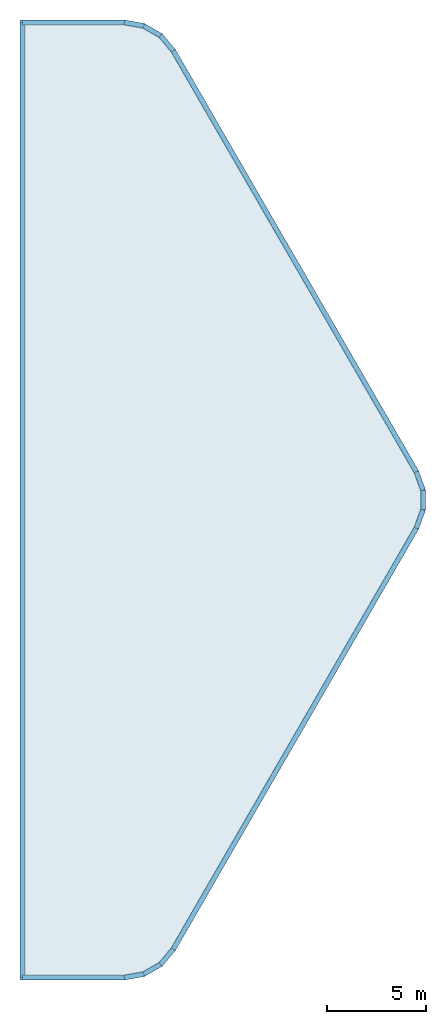
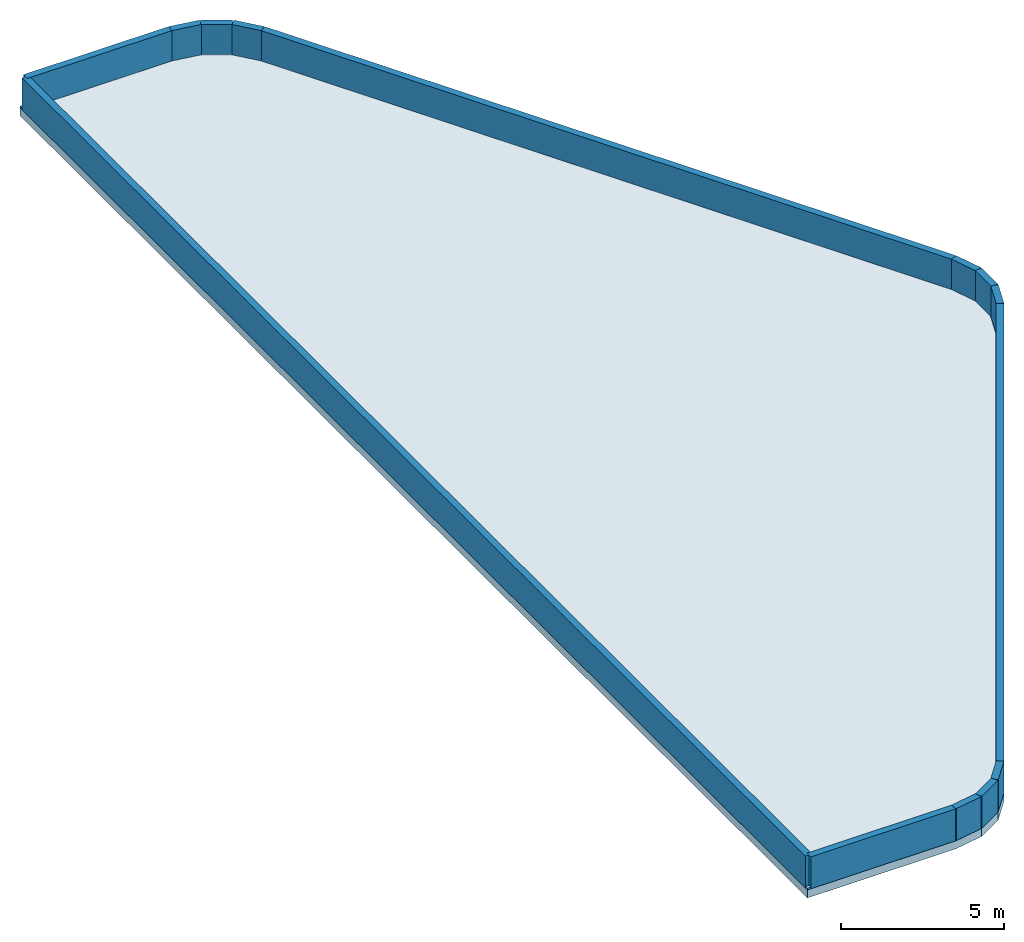
# One storey, part 1 of 2: 14 walls, 1 roof, 1 slab.
"""IFC4 building model written with IfcOpenShell, lengths in metres."""

import ifcopenshell
import ifcopenshell.guid

model = None  # the IFC model being written
_history = None  # IfcOwnerHistory: only IFC2X3 demands one
_inside = {}  # id of a spatial element -> (the spatial element, [elements in it])
_under = {}  # id of a project, library or spatial element -> (it, [spatial elements below it])
_declared = {}  # id of a project -> (the project, [libraries it declares])
_typed = {}  # id of a type object -> (the type object, [elements of that type])
_made_of = {}  # id of a material, layer set ... -> (it, [elements and type objects made of it])


def new_model(schema):
    """Start an empty IFC model of exactly this schema.

    Asked for "IFC4X3", IfcOpenShell would pick the latest addendum, in which some entities
    have other attributes; the version numbers below select the first issue.
    IFC2X3 requires an IfcOwnerHistory on every rooted entity: one is made here for all.
    """
    global model, _history
    if schema == "IFC4X3":
        model = ifcopenshell.file(schema_version=(4, 3, 0, 0))
    else:
        model = ifcopenshell.file(schema=schema)
    _inside.clear()
    _under.clear()
    _declared.clear()
    _typed.clear()
    _made_of.clear()
    _history = None
    if model.schema == "IFC2X3":
        org = make("IfcOrganization", Name="unknown")
        user = make(
            "IfcPersonAndOrganization",
            ThePerson=make("IfcPerson", FamilyName="unknown"),
            TheOrganization=org,
        )
        app = make(
            "IfcApplication",
            ApplicationDeveloper=org,
            Version="unknown",
            ApplicationFullName="unknown",
            ApplicationIdentifier="unknown",
        )
        _history = make(
            "IfcOwnerHistory",
            OwningUser=user,
            OwningApplication=app,
            ChangeAction="ADDED",
            CreationDate=0,
        )
    return model


def make(cls, **values):
    """One entity of the class cls with the attributes given. An attribute that is None is left unset."""
    return model.create_entity(
        cls, **{name: value for name, value in values.items() if value is not None}
    )


def rooted(cls, **values):
    """An entity with a GlobalId (a new one), such as an element, a storey or a relation."""
    return make(cls, GlobalId=ifcopenshell.guid.new(), OwnerHistory=_history, **values)


def si_unit(unit_type, name, prefix=None):
    """IfcSIUnit, for example si_unit("LENGTHUNIT", "METRE", prefix="MILLI")."""
    return make("IfcSIUnit", UnitType=unit_type, Prefix=prefix, Name=name)


def assignment(units):
    """IfcUnitAssignment: the units of a project."""
    return None if units is None else make("IfcUnitAssignment", Units=units)


def point(xyz):
    """IfcCartesianPoint."""
    return None if xyz is None else make("IfcCartesianPoint", Coordinates=xyz)


def direction(xyz):
    """IfcDirection."""
    return None if xyz is None else make("IfcDirection", DirectionRatios=xyz)


def frame(location, z_axis=None, x_axis=None):
    """IfcAxis2Placement3D, a coordinate frame: its origin and axes. An axis left out is left unset."""
    return make(
        "IfcAxis2Placement3D",
        Location=point(location),
        Axis=direction(z_axis),
        RefDirection=direction(x_axis),
    )


def frame_2d(location, x_axis=None):
    """IfcAxis2Placement2D, a coordinate frame in the plane: its origin and x axis."""
    return make(
        "IfcAxis2Placement2D", Location=point(location), RefDirection=direction(x_axis)
    )


def origin():
    """The frame at (0, 0, 0) with its axes left unset."""
    return frame((0.0, 0.0, 0.0))


def place(relative_to, where):
    """IfcLocalPlacement: puts the frame where relative to a parent placement (None: the world)."""
    return make(
        "IfcLocalPlacement", PlacementRelTo=relative_to, RelativePlacement=where
    )


def context(
    kind, dimensions, precision=None, world=None, true_north=None, identifier=None
):
    """IfcGeometricRepresentationContext, for example the 3D "Model" context."""
    return make(
        "IfcGeometricRepresentationContext",
        ContextIdentifier=identifier,
        ContextType=kind,
        CoordinateSpaceDimension=dimensions,
        Precision=precision,
        WorldCoordinateSystem=world,
        TrueNorth=true_north,
    )


def subcontext(parent, identifier, kind, view, scale=None):
    """IfcGeometricRepresentationSubContext, for example "Body" below "Model"."""
    return make(
        "IfcGeometricRepresentationSubContext",
        ContextIdentifier=identifier,
        ContextType=kind,
        ParentContext=parent,
        TargetScale=scale,
        TargetView=view,
    )


def project(units=None, contexts=None):
    """IfcProject with its units and contexts."""
    return rooted(
        "IfcProject",
        Name="project",
        RepresentationContexts=contexts,
        UnitsInContext=assignment(units),
    )


def spatial(cls, under=None, at=None, **own):
    """A site, building, storey or space (cls), placed at a placement, below another one or the project."""
    s = rooted(cls, ObjectPlacement=at, **own)
    if under is not None:
        _under.setdefault(under.id(), (under, []))[1].append(s)
    return s


def polyline(points):
    """IfcPolyline through the points."""
    return make("IfcPolyline", Points=[point(p) for p in points])


def profile(cls, at=None, kind="AREA", **sizes):
    """A parametric profile (cls). Its sizes go by their IFC names, for example OverallWidth=200.0."""
    return make(cls, ProfileType=kind, Position=at, **sizes)


def rectangle(**sizes):
    """IfcRectangleProfileDef."""
    return profile("IfcRectangleProfileDef", **sizes)


def outline(outer, holes=None, kind="AREA"):
    """IfcArbitraryClosedProfileDef: a profile drawn as a closed curve; with holes, ...WithVoids."""
    if holes is None:
        return make("IfcArbitraryClosedProfileDef", ProfileType=kind, OuterCurve=outer)
    return make(
        "IfcArbitraryProfileDefWithVoids",
        ProfileType=kind,
        OuterCurve=outer,
        InnerCurves=holes,
    )


def extrude(swept, where, along, depth):
    """IfcExtrudedAreaSolid: the profile swept, set in the frame where, extruded along a direction by depth."""
    return make(
        "IfcExtrudedAreaSolid",
        SweptArea=swept,
        Position=where,
        ExtrudedDirection=direction(along),
        Depth=depth,
    )


def shape(context_of_items, identifier, shape_type, items):
    """IfcShapeRepresentation: the items that make up one representation, for example the "Body"."""
    return make(
        "IfcShapeRepresentation",
        ContextOfItems=context_of_items,
        RepresentationIdentifier=identifier,
        RepresentationType=shape_type,
        Items=items,
    )


def material(Name=None, Category=None):
    """IfcMaterial."""
    return make("IfcMaterial", Name=Name, Category=Category)


def layer(
    of_material, thickness, ventilated=None, Name=None, Category=None, Priority=None
):
    """IfcMaterialLayer: one layer of a wall or slab, of a material (None: an air gap)."""
    return make(
        "IfcMaterialLayer",
        Material=of_material,
        LayerThickness=thickness,
        IsVentilated=ventilated,
        Name=Name,
        Category=Category,
        Priority=Priority,
    )


def layer_set(layers, Name=None):
    """IfcMaterialLayerSet."""
    return make("IfcMaterialLayerSet", MaterialLayers=layers, LayerSetName=Name)


def made_of(thing, what):
    """Note that an element or type object is made of a material, layer set ...; save() writes the relation."""
    if what is not None:
        _made_of.setdefault(what.id(), (what, []))[1].append(thing)
    return thing


def type_object(cls, material=None, **own):
    """A type object (cls), such as IfcWallType, which elements share."""
    return made_of(rooted(cls, **own), material)


def element(
    cls,
    number,
    at=None,
    inside=None,
    cuts=None,
    type_object=None,
    material=None,
    context=None,
    identifier="Body",
    shape_type=None,
    held_by="IfcProductDefinitionShape",
    body=None,
    shapes=None,
    **own,
):
    """One element of the class cls, such as IfcWall. Its Tag is "e" and its number.

    at: its placement. inside: the storey or other place that contains it. cuts: it is an
    opening in that element (IfcRelVoidsElement). A single representation is given by context,
    identifier, shape_type and body (its items); several are given by shapes. held_by: the class
    of the entity that holds the representations. save() writes the other relations.
    """
    e = rooted(cls, Tag="e%d" % number, ObjectPlacement=at, **own)
    if body is not None:
        shapes = [shape(context, identifier, shape_type, body)]
    if shapes is not None:
        e.Representation = make(held_by, Representations=shapes)
    if inside is not None:
        _inside.setdefault(inside.id(), (inside, []))[1].append(e)
    if cuts is not None:
        rooted(
            "IfcRelVoidsElement", RelatingBuildingElement=cuts, RelatedOpeningElement=e
        )
    if type_object is not None:
        _typed.setdefault(type_object.id(), (type_object, []))[1].append(e)
    return made_of(e, material)


def aggregate(whole, parts):
    """IfcRelAggregates: a whole, such as a stair, and the parts it consists of."""
    return rooted("IfcRelAggregates", RelatingObject=whole, RelatedObjects=parts)


def save(model, path):
    """Write the relations noted so far, then the file.

    IfcRelAggregates (storeys below a building ...), IfcRelContainedInSpatialStructure (elements
    in a storey), IfcRelDefinesByType, IfcRelAssociatesMaterial and IfcRelDeclares: one each for
    every whole, place, type object, material and project.
    """
    for whole, parts in _under.values():
        aggregate(whole, parts)
    for where, things in _inside.values():
        rooted(
            "IfcRelContainedInSpatialStructure",
            RelatedElements=things,
            RelatingStructure=where,
        )
    for kind, things in _typed.values():
        rooted("IfcRelDefinesByType", RelatedObjects=things, RelatingType=kind)
    for what, things in _made_of.values():
        rooted("IfcRelAssociatesMaterial", RelatedObjects=things, RelatingMaterial=what)
    for by, libraries in _declared.values():
        rooted("IfcRelDeclares", RelatingContext=by, RelatedDefinitions=libraries)
    model.write(path)


model = new_model("IFC4")

# Units and contexts
model_context = context("Model", 3, precision=1e-05, world=origin(), true_north=direction((0.0, 1.0)))
body_context = subcontext(model_context, "Body", "Model", "MODEL_VIEW")
ifc_project = project(units=[si_unit("LENGTHUNIT", "METRE"), si_unit("AREAUNIT", "SQUARE_METRE"), si_unit("VOLUMEUNIT", "CUBIC_METRE"), si_unit("PLANEANGLEUNIT", "RADIAN"), si_unit("MASSUNIT", "GRAM", prefix="KILO")], contexts=[model_context])

# Site, building, storey
site_placement = place(None, origin())
site = spatial("IfcSite", under=ifc_project, at=site_placement, CompositionType="ELEMENT")
building_placement = place(site_placement, origin())
building = spatial("IfcBuilding", under=site, at=building_placement, Name="Zuhravey Tower", CompositionType="ELEMENT")
storey_placement = place(building_placement, frame((0.0, 0.0, 387.800048828125)))
storey = spatial("IfcBuildingStorey", under=building, at=storey_placement, Name="ROOF", CompositionType="ELEMENT", Elevation=387.800048828125)

# Slab
ifc_material_1 = material(Name="Concrete C40/50", Category="concrete")
ifc_layer_1 = layer(ifc_material_1, 0.300048828125)
ifc_layer_set_1 = layer_set([ifc_layer_1], Name="Concrete C40/50")
slab_type = type_object("IfcSlabType", Name="Crown Crest Flat Roof Slab 300", PredefinedType="ROOF", material=ifc_layer_set_1)
slab_placement = place(storey_placement, frame((0.0, 0.0, -0.300048828125)))
element("IfcSlab", 1, at=slab_placement, inside=storey, type_object=slab_type, Name="ROOF East Crest Flat Roof Slab RS30", PredefinedType="ROOF", context=body_context, shape_type="SweptSolid", body=[
    extrude(outline(polyline([(48.27685546875, 56.214111328125), (49.285888671875, 56.0361328125), (50.173095703125, 55.52392578125), (50.83154296875, 54.739013671875), (63.1083984375, 33.47509765625), (63.458740234375, 32.51220703125), (63.458740234375, 31.48779296875), (63.1083984375, 30.52490234375), (50.83154296875, 9.260986328125), (50.173095703125, 8.47607421875), (49.285888671875, 7.9638671875), (48.27685546875, 7.785888671875), (43.0, 7.785888671875), (43.0, 56.214111328125), (48.27685546875, 56.214111328125)])), origin(), (0.0, 0.0, 1.0), 0.300048828125),
])

# Walls
ifc_material_2 = material(Name="Precast concrete C40/50", Category="concrete")
ifc_layer_2 = layer(ifc_material_2, 0.239990234375)
ifc_layer_set_2 = layer_set([ifc_layer_2], Name="Precast concrete C40/50")
wall_type = type_object("IfcWallType", Name="Roof Parapet Upstand Wall 240", PredefinedType="PARAPET", material=ifc_layer_set_2)
wall_1_placement = place(storey_placement, frame((48.266357421875, 56.093994140625, 0.0), z_axis=(0.0, 0.0, 1.0), x_axis=(0.984815723027, -0.1736029714, 0.0)))
element("IfcWall", 2, at=wall_1_placement, inside=storey, type_object=wall_type, Name="ROOF EAST Roof Parapet PW24-01", PredefinedType="PARAPET", context=body_context, shape_type="SweptSolid", body=[
    extrude(rectangle(XDim=0.992919921875, YDim=0.239990234375, at=frame_2d((0.49658203125, 0.0))), origin(), (0.0, 0.0, 1.0), 1.199951171875),
])
wall_2_placement = place(storey_placement, frame((49.244140625, 55.921630859375, 0.0), z_axis=(0.0, 0.0, 1.0), x_axis=(0.866077964386, -0.499908951315, 0.0)))
element("IfcWall", 3, at=wall_2_placement, inside=storey, type_object=wall_type, Name="ROOF EAST Roof Parapet PW24-02", PredefinedType="PARAPET", context=body_context, shape_type="SweptSolid", body=[
    extrude(rectangle(XDim=0.982177734375, YDim=0.239990234375, at=frame_2d((0.4912109375, 0.0))), origin(), (0.0, 0.0, 1.0), 1.199951171875),
])
wall_3_placement = place(storey_placement, frame((50.0947265625, 55.4306640625, 0.0), z_axis=(0.0, 0.0, 1.0), x_axis=(0.642696066152, -0.766121247945, 0.0)))
element("IfcWall", 4, at=wall_3_placement, inside=storey, type_object=wall_type, Name="ROOF EAST Roof Parapet PW24-03", PredefinedType="PARAPET", context=body_context, shape_type="SweptSolid", body=[
    extrude(rectangle(XDim=0.992919921875, YDim=0.239990234375, at=frame_2d((0.49658203125, 0.0))), origin(), (0.0, 0.0, 1.0), 1.199951171875),
])
wall_4_placement = place(storey_placement, frame((50.73291015625, 54.669921875, 0.0), z_axis=(0.0, 0.0, 1.0), x_axis=(0.500001847459, -0.866024337151, 0.0)))
element("IfcWall", 5, at=wall_4_placement, inside=storey, type_object=wall_type, Name="ROOF EAST Roof Parapet PW24-04", PredefinedType="PARAPET", context=body_context, shape_type="SweptSolid", body=[
    extrude(rectangle(XDim=24.53271484375, YDim=0.239990234375, at=frame_2d((12.266357421875, 0.0))), origin(), (0.0, 0.0, 1.0), 1.199951171875),
])
wall_5_placement = place(storey_placement, frame((62.999267578125, 33.424072265625, 0.0), z_axis=(0.0, 0.0, 1.0), x_axis=(0.342078717034, -0.939671299632, 0.0)))
element("IfcWall", 6, at=wall_5_placement, inside=storey, type_object=wall_type, Name="ROOF EAST Roof Parapet PW24-05", PredefinedType="PARAPET", context=body_context, shape_type="SweptSolid", body=[
    extrude(rectangle(XDim=0.99267578125, YDim=0.239990234375, at=frame_2d((0.496337890625, 0.0))), origin(), (0.0, 0.0, 1.0), 1.199951171875),
])
wall_6_placement = place(storey_placement, frame((63.3388671875, 32.4912109375, 0.0), z_axis=(0.0, 0.0, 1.0), x_axis=(0.0, -1.0, 0.0)))
element("IfcWall", 7, at=wall_6_placement, inside=storey, type_object=wall_type, Name="ROOF EAST Roof Parapet PW24-06", PredefinedType="PARAPET", context=body_context, shape_type="SweptSolid", body=[
    extrude(rectangle(XDim=0.982421875, YDim=0.239990234375, at=frame_2d((0.4912109375, 0.0))), origin(), (0.0, 0.0, 1.0), 1.199951171875),
])
wall_7_placement = place(storey_placement, frame((63.3388671875, 31.5087890625, 0.0), z_axis=(0.0, 0.0, 1.0), x_axis=(-0.342078717034, -0.939671299632, 0.0)))
element("IfcWall", 8, at=wall_7_placement, inside=storey, type_object=wall_type, Name="ROOF EAST Roof Parapet PW24-07", PredefinedType="PARAPET", context=body_context, shape_type="SweptSolid", body=[
    extrude(rectangle(XDim=0.99267578125, YDim=0.239990234375, at=frame_2d((0.496337890625, 0.0))), origin(), (0.0, 0.0, 1.0), 1.199951171875),
])
wall_8_placement = place(storey_placement, frame((62.999267578125, 30.575927734375, 0.0), z_axis=(0.0, 0.0, 1.0), x_axis=(-0.500001847459, -0.866024337151, 0.0)))
element("IfcWall", 9, at=wall_8_placement, inside=storey, type_object=wall_type, Name="ROOF EAST Roof Parapet PW24-08", PredefinedType="PARAPET", context=body_context, shape_type="SweptSolid", body=[
    extrude(rectangle(XDim=24.53271484375, YDim=0.239990234375, at=frame_2d((12.266357421875, 0.0))), origin(), (0.0, 0.0, 1.0), 1.199951171875),
])
wall_9_placement = place(storey_placement, frame((50.73291015625, 9.330078125, 0.0), z_axis=(0.0, 0.0, 1.0), x_axis=(-0.642696066152, -0.766121247945, 0.0)))
element("IfcWall", 10, at=wall_9_placement, inside=storey, type_object=wall_type, Name="ROOF EAST Roof Parapet PW24-09", PredefinedType="PARAPET", context=body_context, shape_type="SweptSolid", body=[
    extrude(rectangle(XDim=0.992919921875, YDim=0.239990234375, at=frame_2d((0.49658203125, 0.0))), origin(), (0.0, 0.0, 1.0), 1.199951171875),
])
wall_10_placement = place(storey_placement, frame((50.0947265625, 8.5693359375, 0.0), z_axis=(0.0, 0.0, 1.0), x_axis=(-0.866077964386, -0.499908951315, 0.0)))
element("IfcWall", 11, at=wall_10_placement, inside=storey, type_object=wall_type, Name="ROOF EAST Roof Parapet PW24-10", PredefinedType="PARAPET", context=body_context, shape_type="SweptSolid", body=[
    extrude(rectangle(XDim=0.982177734375, YDim=0.239990234375, at=frame_2d((0.4912109375, 0.0))), origin(), (0.0, 0.0, 1.0), 1.199951171875),
])
wall_11_placement = place(storey_placement, frame((49.244140625, 8.078369140625, 0.0), z_axis=(0.0, 0.0, 1.0), x_axis=(-0.984815723027, -0.1736029714, 0.0)))
element("IfcWall", 12, at=wall_11_placement, inside=storey, type_object=wall_type, Name="ROOF EAST Roof Parapet PW24-11", PredefinedType="PARAPET", context=body_context, shape_type="SweptSolid", body=[
    extrude(rectangle(XDim=0.992919921875, YDim=0.239990234375, at=frame_2d((0.49658203125, 0.0))), origin(), (0.0, 0.0, 1.0), 1.199951171875),
])
wall_12_placement = place(storey_placement, frame((48.266357421875, 7.906005859375, 0.0), z_axis=(0.0, 0.0, 1.0), x_axis=(-1.0, 0.0, 0.0)))
element("IfcWall", 13, at=wall_12_placement, inside=storey, type_object=wall_type, Name="ROOF EAST Roof Parapet PW24-12", PredefinedType="PARAPET", context=body_context, shape_type="SweptSolid", body=[
    extrude(rectangle(XDim=5.146240234375, YDim=0.239990234375, at=frame_2d((2.5732421875, 0.0))), origin(), (0.0, 0.0, 1.0), 1.199951171875),
])
wall_13_placement = place(storey_placement, frame((43.1201171875, 7.906005859375, 0.0), z_axis=(0.0, 0.0, 1.0), x_axis=(0.0, 1.0, 0.0)))
element("IfcWall", 14, at=wall_13_placement, inside=storey, type_object=wall_type, Name="ROOF EAST Roof Parapet PW24-13", PredefinedType="PARAPET", context=body_context, shape_type="SweptSolid", body=[
    extrude(rectangle(XDim=48.18798828125, YDim=0.239990234375, at=frame_2d((24.093994140625, 0.0))), origin(), (0.0, 0.0, 1.0), 1.199951171875),
])
wall_14_placement = place(storey_placement, frame((43.1201171875, 56.093994140625, 0.0), z_axis=(0.0, 0.0, 1.0), x_axis=(1.0, 0.0, 0.0)))
element("IfcWall", 15, at=wall_14_placement, inside=storey, type_object=wall_type, Name="ROOF EAST Roof Parapet PW24-14", PredefinedType="PARAPET", context=body_context, shape_type="SweptSolid", body=[
    extrude(rectangle(XDim=5.146240234375, YDim=0.239990234375, at=frame_2d((2.5732421875, 0.0))), origin(), (0.0, 0.0, 1.0), 1.199951171875),
])

# Roof
ifc_layer_3 = layer(ifc_material_1, 0.320068359375)
ifc_layer_set_3 = layer_set([ifc_layer_3], Name="Concrete C40/50")
roof_type = type_object("IfcRoofType", Name="Crown Crest Flat Roof Assembly", PredefinedType="FLAT_ROOF", material=ifc_layer_set_3)
roof_placement = place(storey_placement, origin())
element("IfcRoof", 16, at=roof_placement, inside=storey, type_object=roof_type, Name="ROOF East Crest Flat Roof Assembly RFA1", PredefinedType="FLAT_ROOF", context=body_context, shape_type="SweptSolid", body=[
    extrude(outline(polyline([(48.27685546875, 56.214111328125), (49.285888671875, 56.0361328125), (50.173095703125, 55.52392578125), (50.83154296875, 54.739013671875), (63.1083984375, 33.47509765625), (63.458740234375, 32.51220703125), (63.458740234375, 31.48779296875), (63.1083984375, 30.52490234375), (50.83154296875, 9.260986328125), (50.173095703125, 8.47607421875), (49.285888671875, 7.9638671875), (48.27685546875, 7.785888671875), (43.0, 7.785888671875), (43.0, 56.214111328125), (48.27685546875, 56.214111328125)])), origin(), (0.0, 0.0, 1.0), 0.06005859375),
])

save(model, "model.ifc")
